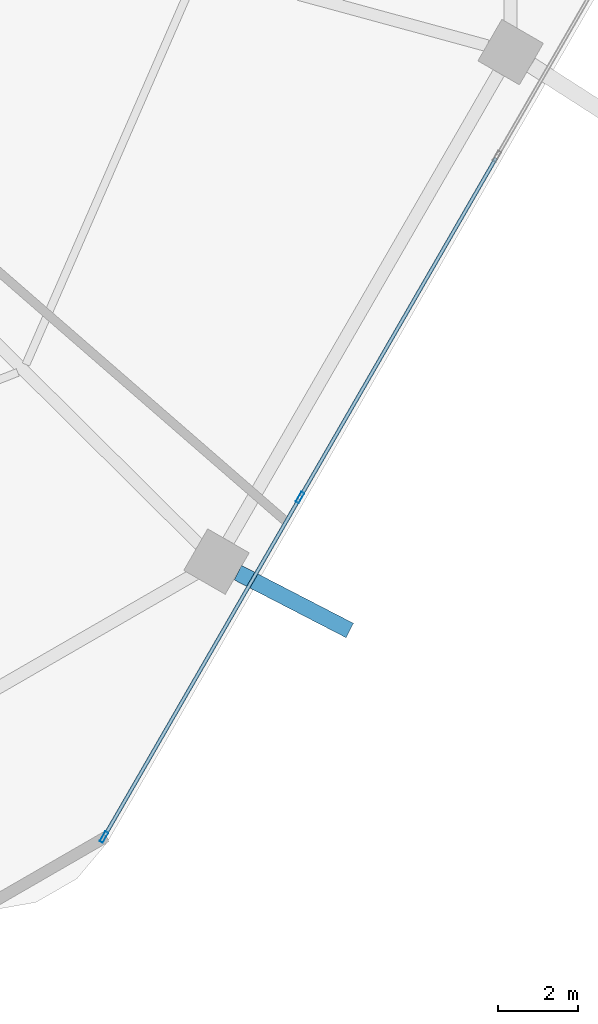
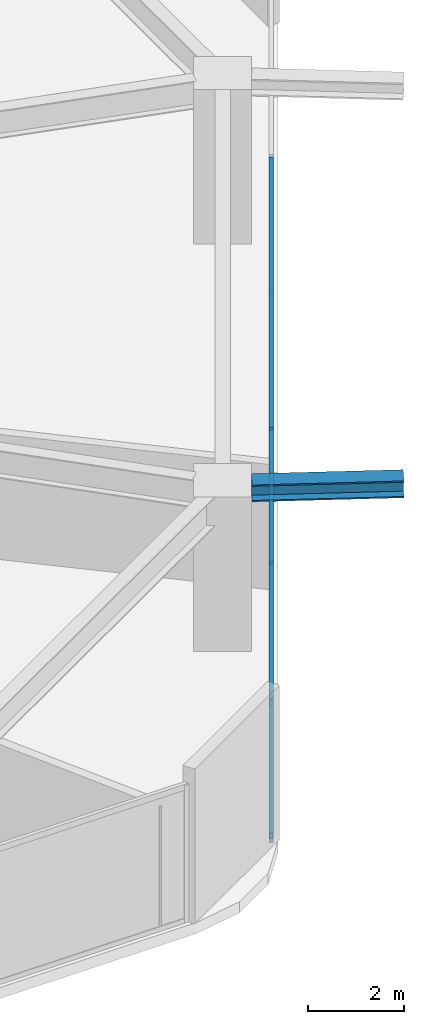
# One storey, part 9 of 27: 6 members, 1 beam, 1 element without a shape of its own.
"""IFC4 building model written with IfcOpenShell, lengths in metres."""

from ifc_helpers import new_model, si_unit, direction, frame, origin, origin_2d, place, context, subcontext, project, spatial, hollow_rectangle, i_section, extrude, material, material_profile, profile_set, type_object, element, aggregate, save


model = new_model("IFC4")

# Units and contexts
model_context = context("Model", 3, precision=1e-05, world=origin(), true_north=direction((0.0, 1.0)))
body_context = subcontext(model_context, "Body", "Model", "MODEL_VIEW")
ifc_project = project(units=[si_unit("LENGTHUNIT", "METRE"), si_unit("AREAUNIT", "SQUARE_METRE"), si_unit("VOLUMEUNIT", "CUBIC_METRE"), si_unit("PLANEANGLEUNIT", "RADIAN"), si_unit("MASSUNIT", "GRAM", prefix="KILO")], contexts=[model_context])

# Site, building, storey
site_placement = place(None, origin())
site = spatial("IfcSite", under=ifc_project, at=site_placement, CompositionType="ELEMENT")
building_placement = place(site_placement, origin())
building = spatial("IfcBuilding", under=site, at=building_placement, Name="Zuhravey Tower", CompositionType="ELEMENT")
storey_placement = place(building_placement, frame((0.0, 0.0, 12.0)))
storey = spatial("IfcBuildingStorey", under=building, at=storey_placement, Name="L03", CompositionType="ELEMENT", Elevation=12.0)

# Curtain wall, members
ifc_material_1 = material(Name="Thermally broken anodised aluminium", Category="aluminium")
curtain_wall_type = type_object("IfcCurtainWallType", Name="School Low-E Unitised Curtain Wall CW1", PredefinedType="NOTDEFINED", material=ifc_material_1)
curtain_wall_placement = place(storey_placement, origin())
curtain_wall = element("IfcCurtainWall", 1, at=curtain_wall_placement, inside=storey, type_object=curtain_wall_type, Name="L03 CW1 CW-L03-F6-1", PredefinedType="NOTDEFINED")
ifc_material_2 = material(Name="Anodised aluminium", Category="aluminium")
ifc_material_profile_1 = material_profile(ifc_material_2, hollow_rectangle(XDim=0.090087890625, YDim=0.284912109375, WallThickness=0.0048828125, at=origin_2d()), Name="ALU-RHS-90x285x5")
ifc_profile_set_1 = profile_set([ifc_material_profile_1], Name="Anodised aluminium")
member_type_1 = type_object("IfcMemberType", Name="Curtain-Wall Mullion 90x180", PredefinedType="MULLION", material=ifc_profile_set_1)
member_1_placement = place(storey_placement, frame((58.612060546875, 13.24853515625, 0.0), z_axis=(0.0, 0.0, 1.0), x_axis=(0.86602552265, -0.499999794119, 0.0)))
member_1 = element("IfcMember", 2, at=member_1_placement, type_object=member_type_1, Name="CW1 mullion 3", PredefinedType="MULLION", context=body_context, shape_type="SweptSolid", body=[
    extrude(hollow_rectangle(XDim=0.090087890625, YDim=0.284912109375, WallThickness=0.0048828125, at=origin_2d()), origin(), (0.0, 0.0, 1.0), 3.491943359375),
])
member_2_placement = place(storey_placement, frame((53.701416015625, 4.742919921875, 0.0), z_axis=(0.0, 0.0, 1.0), x_axis=(0.86602552265, -0.499999794119, 0.0)))
member_2 = element("IfcMember", 3, at=member_2_placement, type_object=member_type_1, Name="CW1 mullion 4", PredefinedType="MULLION", context=body_context, shape_type="SweptSolid", body=[
    extrude(hollow_rectangle(XDim=0.090087890625, YDim=0.284912109375, WallThickness=0.0048828125, at=origin_2d()), origin(), (0.0, 0.0, 1.0), 3.491943359375),
])
ifc_material_profile_2 = material_profile(ifc_material_2, hollow_rectangle(XDim=0.090087890625, YDim=0.14990234375, WallThickness=0.0048828125, at=origin_2d()), Name="ALU-RHS-90x150x5")
ifc_profile_set_2 = profile_set([ifc_material_profile_2], Name="Anodised aluminium")
member_type_2 = type_object("IfcMemberType", Name="Curtain-Wall Transom 90x150", PredefinedType="USERDEFINED", material=ifc_profile_set_2)
member_3_placement = place(storey_placement, frame((63.52294921875, 21.754150390625, 0.044921875), z_axis=(-0.499990498062, -0.866030889661, 0.0), x_axis=(0.866030889661, -0.499990498062, 0.0)))
member_3 = element("IfcMember", 4, at=member_3_placement, type_object=member_type_2, Name="CW1 transom 2.1", ObjectType="TRANSOM", PredefinedType="USERDEFINED", context=body_context, shape_type="SweptSolid", body=[
    extrude(hollow_rectangle(XDim=0.090087890625, YDim=0.14990234375, WallThickness=0.0048828125, at=origin_2d()), origin(), (0.0, 0.0, 1.0), 9.776611328125),
])
member_4_placement = place(storey_placement, frame((63.52294921875, 21.754150390625, 3.447021484375), z_axis=(-0.499990498062, -0.866030889661, 0.0), x_axis=(0.866030889661, -0.499990498062, 0.0)))
member_4 = element("IfcMember", 5, at=member_4_placement, type_object=member_type_2, Name="CW1 transom 2.2", ObjectType="TRANSOM", PredefinedType="USERDEFINED", context=body_context, shape_type="SweptSolid", body=[
    extrude(hollow_rectangle(XDim=0.090087890625, YDim=0.14990234375, WallThickness=0.0048828125, at=origin_2d()), origin(), (0.0, 0.0, 1.0), 9.776611328125),
])
member_5_placement = place(storey_placement, frame((58.589599609375, 13.20947265625, 0.044921875), z_axis=(-0.499989576763, -0.86603142156, 0.0), x_axis=(0.86603142156, -0.499989576763, 0.0)))
member_5 = element("IfcMember", 6, at=member_5_placement, type_object=member_type_2, Name="CW1 transom 3.1", ObjectType="TRANSOM", PredefinedType="USERDEFINED", context=body_context, shape_type="SweptSolid", body=[
    extrude(hollow_rectangle(XDim=0.090087890625, YDim=0.14990234375, WallThickness=0.0048828125, at=origin_2d()), origin(), (0.0, 0.0, 1.0), 9.731201171875),
])
member_6_placement = place(storey_placement, frame((58.589599609375, 13.20947265625, 3.447021484375), z_axis=(-0.499989576763, -0.86603142156, 0.0), x_axis=(0.86603142156, -0.499989576763, 0.0)))
member_6 = element("IfcMember", 7, at=member_6_placement, type_object=member_type_2, Name="CW1 transom 3.2", ObjectType="TRANSOM", PredefinedType="USERDEFINED", context=body_context, shape_type="SweptSolid", body=[
    extrude(hollow_rectangle(XDim=0.090087890625, YDim=0.14990234375, WallThickness=0.0048828125, at=origin_2d()), origin(), (0.0, 0.0, 1.0), 9.731201171875),
])
aggregate(curtain_wall, [member_1, member_2, member_3, member_4, member_5, member_6])

# Beam
ifc_material_3 = material(Name="Steel SM460", Category="steel")
ifc_material_profile_3 = material_profile(ifc_material_3, i_section(OverallWidth=0.406982421875, OverallDepth=0.427978515625, WebThickness=0.02001953125, FlangeThickness=0.034912109375, at=origin_2d()), Name="H-428x407x20x35")
ifc_profile_set_3 = profile_set([ifc_material_profile_3], Name="Steel SM460")
beam_type = type_object("IfcBeamType", Name="Exoskeleton Node Tie Beam H428x407", PredefinedType="BEAM", material=ifc_profile_set_3)
beam_placement = place(storey_placement, frame((57.05615234375, 11.365478515625, 3.7060546875), z_axis=(0.888436426632, -0.458999690449, 0.0), x_axis=(0.458999690449, 0.888436426632, 0.0)))
element("IfcBeam", 8, at=beam_placement, inside=storey, type_object=beam_type, Name="L03 Exoskeleton Node Tie NT1-11", PredefinedType="BEAM", context=body_context, shape_type="SweptSolid", body=[
    extrude(i_section(OverallWidth=0.406982421875, OverallDepth=0.427978515625, WebThickness=0.02001953125, FlangeThickness=0.034912109375, at=origin_2d()), origin(), (0.0, 0.0, 1.0), 3.15478515625),
])

save(model, "model.ifc")
